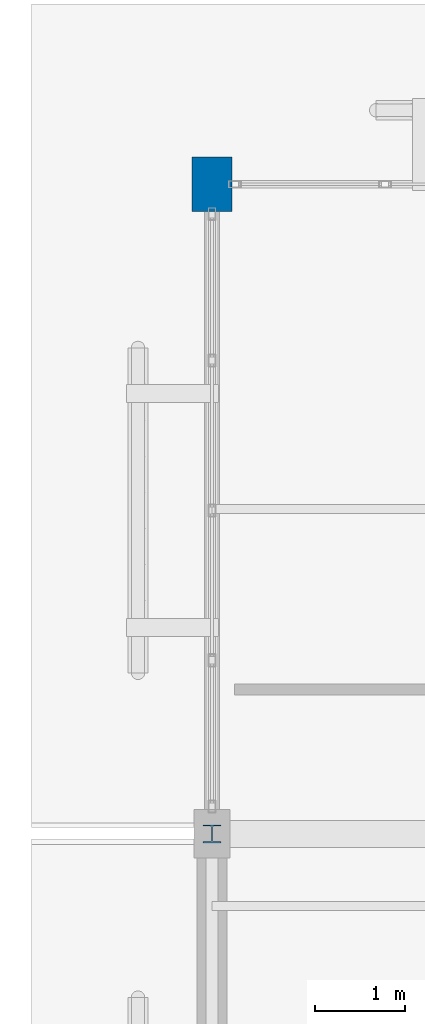
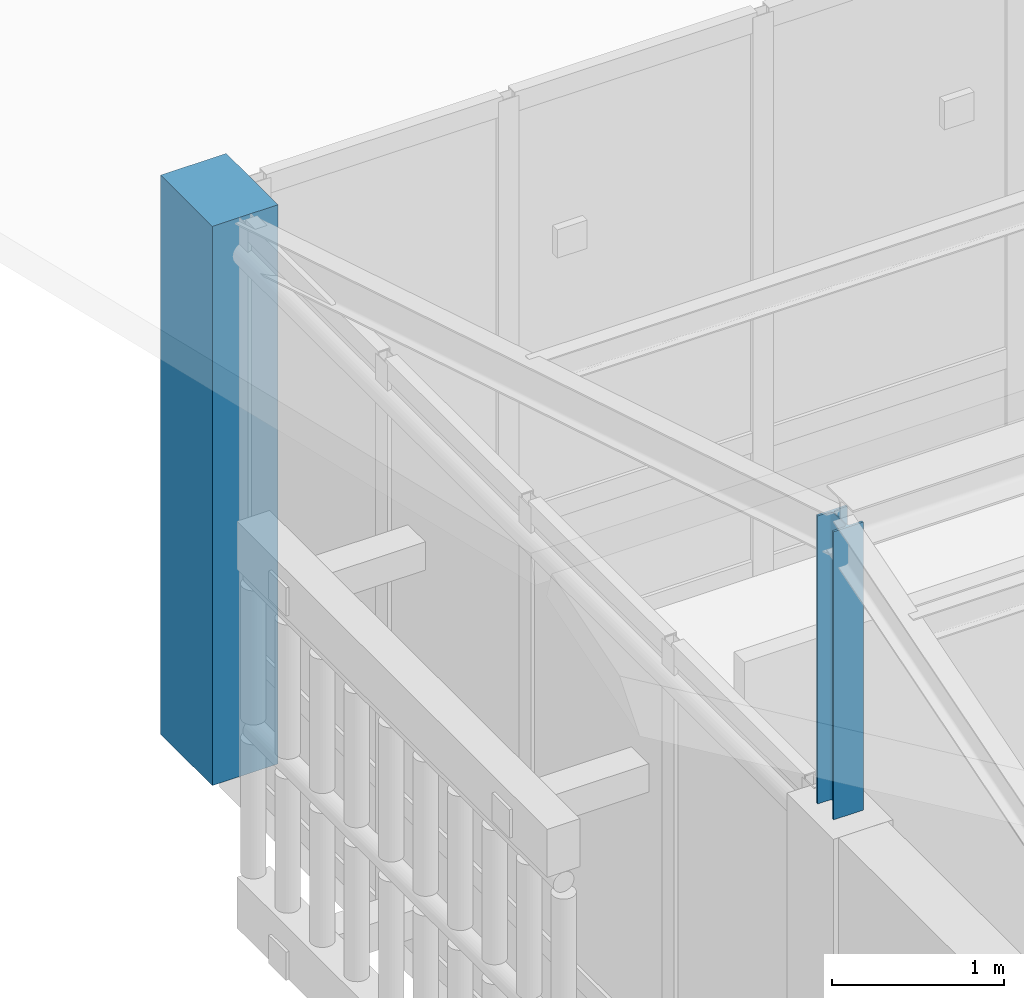
# One storey, part 4 of 61: 2 columns.
"""IFC4 building model written with IfcOpenShell, lengths in metres."""

from ifc_helpers import new_model, si_unit, direction, frame, origin, origin_2d, place, context, subcontext, project, spatial, rectangle, i_section, extrude, material, material_profile, profile_set, type_object, element, save


model = new_model("IFC4")

# Units and contexts
model_context = context("Model", 3, precision=1e-05, world=origin(), true_north=direction((0.0, 1.0)))
body_context = subcontext(model_context, "Body", "Model", "MODEL_VIEW")
ifc_project = project(units=[si_unit("LENGTHUNIT", "METRE"), si_unit("AREAUNIT", "SQUARE_METRE"), si_unit("VOLUMEUNIT", "CUBIC_METRE"), si_unit("PLANEANGLEUNIT", "RADIAN"), si_unit("MASSUNIT", "GRAM", prefix="KILO")], contexts=[model_context])

# Site, building, storey
site_placement = place(None, origin())
site = spatial("IfcSite", under=ifc_project, at=site_placement, CompositionType="ELEMENT")
building_placement = place(site_placement, origin())
building = spatial("IfcBuilding", under=site, at=building_placement, Name="Mazaris Harbour Polytechnic", CompositionType="ELEMENT")
storey_placement = place(building_placement, frame((0.0, 0.0, 18.0)))
storey = spatial("IfcBuildingStorey", under=building, at=storey_placement, Name="L04", CompositionType="ELEMENT", Elevation=18.0)

# Columns
ifc_material_1 = material(Name="Glulam GL28h", Category="wood")
ifc_material_profile_1 = material_profile(ifc_material_1, rectangle(XDim=0.43994140625, YDim=0.60009765625, at=origin_2d()), Name="RECT440x600")
ifc_profile_set_1 = profile_set([ifc_material_profile_1], Name="Glulam GL28h")
column_type_1 = type_object("IfcColumnType", Name="Glulam Column 440x600 Exterior", PredefinedType="COLUMN", material=ifc_profile_set_1)
column_1_placement = place(storey_placement, frame((122.39990234375, 100.800048828125, 0.0), z_axis=(0.0, 0.0, 1.0), x_axis=(1.0, 0.0, 0.0)))
element("IfcColumn", 1, at=column_1_placement, inside=storey, type_object=column_type_1, Name="V5 L04 Column 1471", PredefinedType="COLUMN", context=body_context, shape_type="SweptSolid", body=[
    extrude(rectangle(XDim=0.43994140625, YDim=0.60009765625, at=origin_2d()), origin(), (0.0, 0.0, 1.0), 3.9599609375),
])
ifc_material_2 = material(Name="Steel S355", Category="steel")
ifc_material_profile_2 = material_profile(ifc_material_2, i_section(OverallWidth=0.199951171875, OverallDepth=0.199951171875, WebThickness=0.009033203125, FlangeThickness=0.014892578125, FilletRadius=0.01806640625, at=origin_2d()), Name="HEB 200")
ifc_profile_set_2 = profile_set([ifc_material_profile_2], Name="Steel S355")
column_type_2 = type_object("IfcColumnType", Name="Steel Column HEB200", PredefinedType="COLUMN", material=ifc_profile_set_2)
column_2_placement = place(storey_placement, frame((122.39990234375, 93.60009765625, 3.9599609375), z_axis=(0.0, 0.0, 1.0), x_axis=(1.0, 0.0, 0.0)))
element("IfcColumn", 2, at=column_2_placement, inside=storey, type_object=column_type_2, Name="V5 Studio Ridge King Post 122.4", PredefinedType="COLUMN", context=body_context, shape_type="SweptSolid", body=[
    extrude(i_section(OverallWidth=0.199951171875, OverallDepth=0.199951171875, WebThickness=0.009033203125, FlangeThickness=0.014892578125, FilletRadius=0.01806640625, at=origin_2d()), origin(), (0.0, 0.0, 1.0), 2.0400390625),
])

save(model, "model.ifc")
